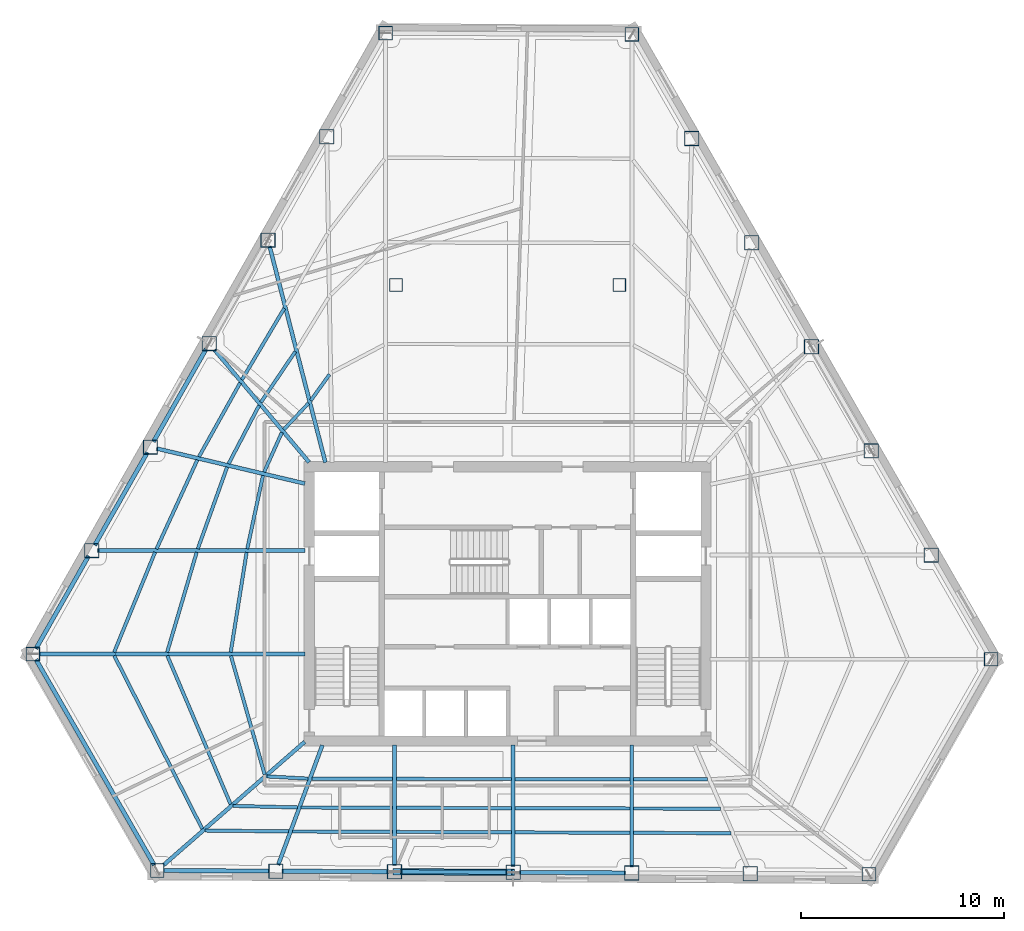
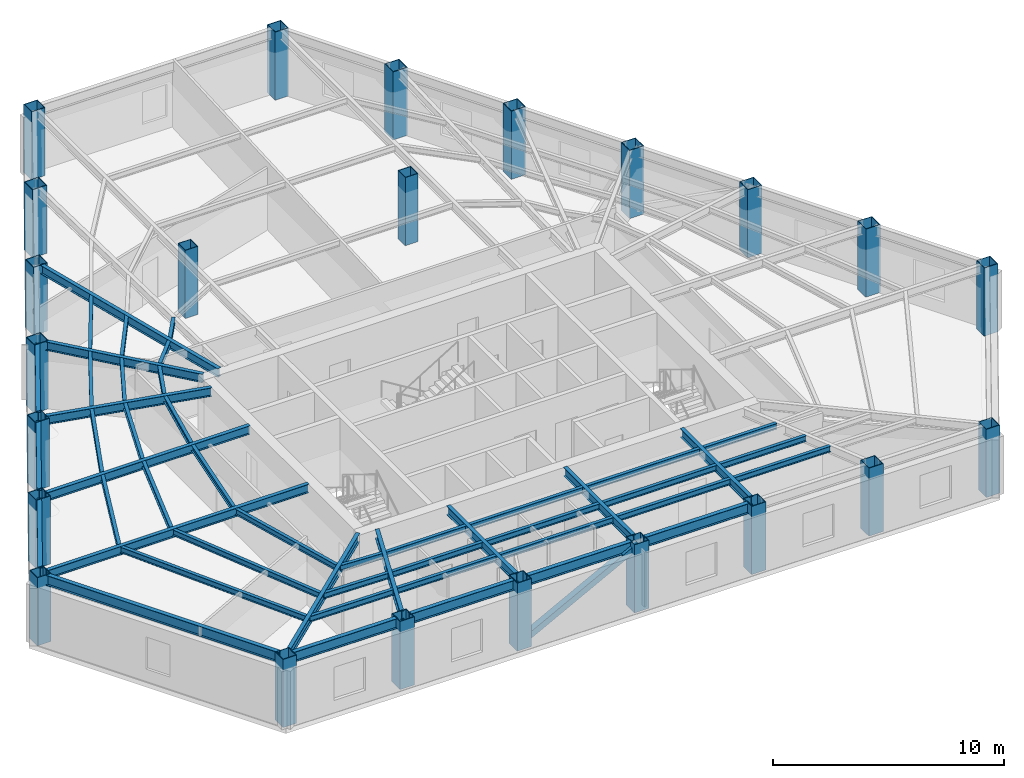
# One storey, part 1 of 12: 49 beams, 23 columns, 1 member.
"""IFC4 building model written with IfcOpenShell, lengths in metres."""

from ifc_helpers import new_model, si_unit, direction, frame, origin, origin_2d, place, context, subcontext, project, spatial, hollow_rectangle, i_section, extrude, material, material_profile, profile_set, type_object, element, save


model = new_model("IFC4")

# Units and contexts
model_context = context("Model", 3, precision=1e-05, world=origin(), true_north=direction((0.0, 1.0)))
body_context = subcontext(model_context, "Body", "Model", "MODEL_VIEW")
ifc_project = project(units=[si_unit("LENGTHUNIT", "METRE"), si_unit("AREAUNIT", "SQUARE_METRE"), si_unit("VOLUMEUNIT", "CUBIC_METRE"), si_unit("PLANEANGLEUNIT", "RADIAN"), si_unit("MASSUNIT", "GRAM", prefix="KILO")], contexts=[model_context])

# Site, building, storey
site_placement = place(None, origin())
site = spatial("IfcSite", under=ifc_project, at=site_placement, CompositionType="ELEMENT")
building_placement = place(site_placement, origin())
building = spatial("IfcBuilding", under=site, at=building_placement, Name="Kavelnor Concourse Tower", CompositionType="ELEMENT")
storey_placement = place(building_placement, frame((0.0, 0.0, 104.75)))
storey = spatial("IfcBuildingStorey", under=building, at=storey_placement, Name="L26", CompositionType="ELEMENT", Elevation=104.75)

# Columns
ifc_material = material(Name="Steel Grade 350", Category="steel")
ifc_material_profile_1 = material_profile(ifc_material, hollow_rectangle(XDim=0.679931640625, YDim=0.679931640625, WallThickness=0.030029296875, at=origin_2d()), Name="SHS 680x680x30")
ifc_profile_set_1 = profile_set([ifc_material_profile_1], Name="Steel Grade 350")
column_type_1 = type_object("IfcColumnType", Name="COL-FOLD-Z2", PredefinedType="COLUMN", material=ifc_profile_set_1)
for number, where, z_axis, x_axis, name in (
    (1, (31.99072265625, 44.204345703125, 0.0), (0.0, 0.0, 1.0), (1.0, 0.0, 0.0), "L26 Perimeter Corner-Fold Column F0-B0"),
    (2, (14.62353515625, 13.62646484375, 0.0), (0.0, 0.0, 1.0), (1.0, 0.0, 0.0), "L26 Perimeter Corner-Fold Column F0-B6"),
    (3, (20.751220703125, 2.966796875, 0.0), (0.0, 0.0, 1.0), (1.0, 0.0, 0.0), "L26 Perimeter Corner-Fold Column F1-B0"),
    (4, (55.797119140625, 2.784912109375, 0.0), (0.0, 0.0, 1.0), (1.0, 0.0, 0.0), "L26 Perimeter Corner-Fold Column F1-B6"),
    (5, (61.810791015625, 13.372802734375, 0.0), (0.0, 0.0, 1.0), (1.0, 0.0, 0.0), "L26 Perimeter Corner-Fold Column F2-B0"),
    (6, (44.123291015625, 44.1416015625, 0.0), (0.0, 0.0, 1.0), (1.0, 0.0, 0.0), "L26 Perimeter Corner-Fold Column F2-B6"),
):
    element("IfcColumn", number, at=place(storey_placement, frame(where, z_axis=z_axis, x_axis=x_axis)), inside=storey, type_object=column_type_1, Name=name, PredefinedType="COLUMN", context=body_context, shape_type="SweptSolid", body=[
        extrude(hollow_rectangle(XDim=0.679931640625, YDim=0.679931640625, WallThickness=0.030029296875, at=origin_2d()), origin(), (0.0, 0.0, 1.0), 3.60009765625),
    ])
ifc_material_profile_2 = material_profile(ifc_material, hollow_rectangle(XDim=0.719970703125, YDim=0.719970703125, WallThickness=0.031982421875, at=origin_2d()), Name="SHS 720x720x32")
ifc_profile_set_2 = profile_set([ifc_material_profile_2], Name="Steel Grade 350")
column_type_2 = type_object("IfcColumnType", Name="COL-TUBE-Z2", PredefinedType="COLUMN", material=ifc_profile_set_2)
for number, where, z_axis, x_axis, name in (
    (7, (29.09619140625, 39.108154296875, 0.0), (0.0, 0.0, 1.0), (1.0, 0.0, 0.0), "L26 Perimeter Framed-Tube Column F0-B1"),
    (8, (26.20166015625, 34.01171875, 0.0), (0.0, 0.0, 1.0), (1.0, 0.0, 0.0), "L26 Perimeter Framed-Tube Column F0-B2"),
    (9, (23.30712890625, 28.915283203125, 0.0), (0.0, 0.0, 1.0), (1.0, 0.0, 0.0), "L26 Perimeter Framed-Tube Column F0-B3"),
    (10, (20.41259765625, 23.819091796875, 0.0), (0.0, 0.0, 1.0), (1.0, 0.0, 0.0), "L26 Perimeter Framed-Tube Column F0-B4"),
    (11, (17.51806640625, 18.72265625, 0.0), (0.0, 0.0, 1.0), (1.0, 0.0, 0.0), "L26 Perimeter Framed-Tube Column F0-B5"),
    (12, (26.59228515625, 2.9365234375, 0.0), (0.0, 0.0, 1.0), (1.0, 0.0, 0.0), "L26 Perimeter Framed-Tube Column F1-B1"),
    (13, (32.43310546875, 2.90625, 0.0), (0.0, 0.0, 1.0), (1.0, 0.0, 0.0), "L26 Perimeter Framed-Tube Column F1-B2"),
    (14, (38.274169921875, 2.875732421875, 0.0), (0.0, 0.0, 1.0), (1.0, 0.0, 0.0), "L26 Perimeter Framed-Tube Column F1-B3"),
    (15, (44.115234375, 2.845458984375, 0.0), (0.0, 0.0, 1.0), (1.0, 0.0, 0.0), "L26 Perimeter Framed-Tube Column F1-B4"),
    (16, (49.956298828125, 2.815185546875, 0.0), (0.0, 0.0, 1.0), (1.0, 0.0, 0.0), "L26 Perimeter Framed-Tube Column F1-B5"),
    (17, (58.86279296875, 18.5009765625, 0.0), (0.0, 0.0, 1.0), (1.0, 0.0, 0.0), "L26 Perimeter Framed-Tube Column F2-B1"),
    (18, (55.9150390625, 23.62890625, 0.0), (0.0, 0.0, 1.0), (1.0, 0.0, 0.0), "L26 Perimeter Framed-Tube Column F2-B2"),
    (19, (52.967041015625, 28.757080078125, 0.0), (0.0, 0.0, 1.0), (1.0, 0.0, 0.0), "L26 Perimeter Framed-Tube Column F2-B3"),
    (20, (50.01904296875, 33.88525390625, 0.0), (0.0, 0.0, 1.0), (1.0, 0.0, 0.0), "L26 Perimeter Framed-Tube Column F2-B4"),
    (21, (47.0712890625, 39.013427734375, 0.0), (0.0, 0.0, 1.0), (1.0, 0.0, 0.0), "L26 Perimeter Framed-Tube Column F2-B5"),
):
    element("IfcColumn", number, at=place(storey_placement, frame(where, z_axis=z_axis, x_axis=x_axis)), inside=storey, type_object=column_type_2, Name=name, PredefinedType="COLUMN", context=body_context, shape_type="SweptSolid", body=[
        extrude(hollow_rectangle(XDim=0.719970703125, YDim=0.719970703125, WallThickness=0.031982421875, at=origin_2d()), origin(), (0.0, 0.0, 1.0), 3.60009765625),
    ])
ifc_material_profile_3 = material_profile(ifc_material, hollow_rectangle(XDim=0.639892578125, YDim=0.639892578125, WallThickness=0.028076171875, at=origin_2d()), Name="SHS 640x640x28")
ifc_profile_set_3 = profile_set([ifc_material_profile_3], Name="Steel Grade 350")
column_type_3 = type_object("IfcColumnType", Name="COL-TUBE-Z3", PredefinedType="COLUMN", material=ifc_profile_set_3)
for number, where, z_axis, x_axis, name in (
    (22, (32.5, 31.800048828125, 0.0), (0.0, 0.0, 1.0), (1.0, 0.0, 0.0), "L26 North Interior Gravity Column BC-NW"),
    (23, (43.5, 31.800048828125, 0.0), (0.0, 0.0, 1.0), (1.0, 0.0, 0.0), "L26 North Interior Gravity Column BC-NE"),
):
    element("IfcColumn", number, at=place(storey_placement, frame(where, z_axis=z_axis, x_axis=x_axis)), inside=storey, type_object=column_type_3, Name=name, PredefinedType="COLUMN", context=body_context, shape_type="SweptSolid", body=[
        extrude(hollow_rectangle(XDim=0.639892578125, YDim=0.639892578125, WallThickness=0.028076171875, at=origin_2d()), origin(), (0.0, 0.0, 1.0), 3.60009765625),
    ])

# Beams
ifc_material_profile_4 = material_profile(ifc_material, i_section(OverallWidth=0.166015625, OverallDepth=0.306884765625, WebThickness=0.006591796875, FlangeThickness=0.01171875, at=origin_2d()), Name="310UB46")
ifc_profile_set_4 = profile_set([ifc_material_profile_4], Name="Steel Grade 350")
beam_type_1 = type_object("IfcBeamType", Name="BM-JOIST-310", PredefinedType="JOIST", material=ifc_profile_set_4)
beam_1_placement = place(storey_placement, frame((24.377197265625, 13.540771484375, 3.446533203125), z_axis=(0.273421872774, -0.961894214292, 0.0), x_axis=(0.961894214292, 0.273421872774, 0.0)))
element("IfcBeam", 24, at=beam_1_placement, inside=storey, type_object=beam_type_1, Name="L26 Secondary Composite Joist 01-1", PredefinedType="JOIST", context=body_context, shape_type="SweptSolid", body=[
    extrude(i_section(OverallWidth=0.166015625, OverallDepth=0.306884765625, WebThickness=0.006591796875, FlangeThickness=0.01171875, at=origin_2d()), origin(), (0.0, 0.0, 1.0), 6.08154296875),
])
beam_2_placement = place(storey_placement, frame((21.24462890625, 13.54443359375, 3.446533203125), z_axis=(0.392106109439, -0.919919995946, 0.0), x_axis=(0.919919995946, 0.392106109439, 0.0)))
element("IfcBeam", 25, at=beam_2_placement, inside=storey, type_object=beam_type_1, Name="L26 Secondary Composite Joist 01-2", PredefinedType="JOIST", context=body_context, shape_type="SweptSolid", body=[
    extrude(i_section(OverallWidth=0.166015625, OverallDepth=0.306884765625, WebThickness=0.006591796875, FlangeThickness=0.01171875, at=origin_2d()), origin(), (0.0, 0.0, 1.0), 7.949951171875),
])
beam_3_placement = place(storey_placement, frame((18.630859375, 13.547119140625, 3.446533203125), z_axis=(0.453040874206, -0.891489745481, 0.0), x_axis=(0.891489745481, 0.453040874206, 0.0)))
element("IfcBeam", 26, at=beam_3_placement, inside=storey, type_object=beam_type_1, Name="L26 Secondary Composite Joist 01-3", PredefinedType="JOIST", context=body_context, shape_type="SweptSolid", body=[
    extrude(i_section(OverallWidth=0.166015625, OverallDepth=0.306884765625, WebThickness=0.006591796875, FlangeThickness=0.01171875, at=origin_2d()), origin(), (0.0, 0.0, 1.0), 9.5703125),
])
beam_4_placement = place(storey_placement, frame((26.1533203125, 7.6005859375, 3.446533203125), z_axis=(0.998534202843, -0.054124354527, 0.0), x_axis=(0.054124354527, 0.998534202843, 0.0)))
element("IfcBeam", 27, at=beam_4_placement, inside=storey, type_object=beam_type_1, Name="L26 Secondary Composite Joist 02-1", PredefinedType="JOIST", context=body_context, shape_type="SweptSolid", body=[
    extrude(i_section(OverallWidth=0.166015625, OverallDepth=0.306884765625, WebThickness=0.006591796875, FlangeThickness=0.01171875, at=origin_2d()), origin(), (0.0, 0.0, 1.0), 2.02978515625),
])
beam_5_placement = place(storey_placement, frame((24.485595703125, 6.147216796875, 3.446533203125), z_axis=(0.999722872434, -0.02354099261, 0.0), x_axis=(0.02354099261, 0.999722872434, 0.0)))
element("IfcBeam", 28, at=beam_5_placement, inside=storey, type_object=beam_type_1, Name="L26 Secondary Composite Joist 02-2", PredefinedType="JOIST", context=body_context, shape_type="SweptSolid", body=[
    extrude(i_section(OverallWidth=0.166015625, OverallDepth=0.306884765625, WebThickness=0.006591796875, FlangeThickness=0.01171875, at=origin_2d()), origin(), (0.0, 0.0, 1.0), 3.173583984375),
])
beam_6_placement = place(storey_placement, frame((23.095703125, 4.93505859375, 3.446533203125), z_axis=(0.999944583282, -0.010527600155, 0.0), x_axis=(0.010527600155, 0.999944583282, 0.0)))
element("IfcBeam", 29, at=beam_6_placement, inside=storey, type_object=beam_type_1, Name="L26 Secondary Composite Joist 02-3", PredefinedType="JOIST", context=body_context, shape_type="SweptSolid", body=[
    extrude(i_section(OverallWidth=0.166015625, OverallDepth=0.306884765625, WebThickness=0.006591796875, FlangeThickness=0.01171875, at=origin_2d()), origin(), (0.0, 0.0, 1.0), 4.1279296875),
])
beam_7_placement = place(storey_placement, frame((28.358154296875, 7.48583984375, 3.446533203125), z_axis=(0.999998422562, -0.001776196132, 0.0), x_axis=(0.001776196132, 0.999998422562, 0.0)))
element("IfcBeam", 30, at=beam_7_placement, inside=storey, type_object=beam_type_1, Name="L26 Secondary Composite Joist 03-1", PredefinedType="JOIST", context=body_context, shape_type="SweptSolid", body=[
    extrude(i_section(OverallWidth=0.166015625, OverallDepth=0.306884765625, WebThickness=0.006591796875, FlangeThickness=0.01171875, at=origin_2d()), origin(), (0.0, 0.0, 1.0), 3.986083984375),
])
beam_8_placement = place(storey_placement, frame((27.836181640625, 6.070068359375, 3.446533203125), z_axis=(0.999994179656, -0.003411840418, 0.0), x_axis=(0.003411840418, 0.999994179656, 0.0)))
element("IfcBeam", 31, at=beam_8_placement, inside=storey, type_object=beam_type_1, Name="L26 Secondary Composite Joist 03-2", PredefinedType="JOIST", context=body_context, shape_type="SweptSolid", body=[
    extrude(i_section(OverallWidth=0.166015625, OverallDepth=0.306884765625, WebThickness=0.006591796875, FlangeThickness=0.01171875, at=origin_2d()), origin(), (0.0, 0.0, 1.0), 4.508056640625),
])
beam_9_placement = place(storey_placement, frame((27.4013671875, 4.89013671875, 3.446533203125), z_axis=(0.9999901197, -0.004445278612, 0.0), x_axis=(0.004445278612, 0.9999901197, 0.0)))
element("IfcBeam", 32, at=beam_9_placement, inside=storey, type_object=beam_type_1, Name="L26 Secondary Composite Joist 03-3", PredefinedType="JOIST", context=body_context, shape_type="SweptSolid", body=[
    extrude(i_section(OverallWidth=0.166015625, OverallDepth=0.306884765625, WebThickness=0.006591796875, FlangeThickness=0.01171875, at=origin_2d()), origin(), (0.0, 0.0, 1.0), 4.94287109375),
])
for number, where, z_axis, x_axis, name in (
    (33, (32.522216796875, 7.478515625, 3.446533203125), (0.999998925761, -0.001465768386, 0.0), (0.001465768386, 0.999998925761, 0.0), "L26 Secondary Composite Joist 04-1"),
    (34, (32.522216796875, 6.05419921875, 3.446533203125), (0.999996311732, -0.002715975497, 0.0), (0.002715975497, 0.999996311732, 0.0), "L26 Secondary Composite Joist 04-2"),
    (35, (32.522216796875, 4.8671875, 3.446533203125), (0.99999312716, -0.003707510301, 0.0), (0.003707510301, 0.99999312716, 0.0), "L26 Secondary Composite Joist 04-3"),
):
    element("IfcBeam", number, at=place(storey_placement, frame(where, z_axis=z_axis, x_axis=x_axis)), inside=storey, type_object=beam_type_1, Name=name, PredefinedType="JOIST", context=body_context, shape_type="SweptSolid", body=[
        extrude(i_section(OverallWidth=0.166015625, OverallDepth=0.306884765625, WebThickness=0.006591796875, FlangeThickness=0.01171875, at=origin_2d()), origin(), (0.0, 0.0, 1.0), 5.6630859375),
    ])
for number, where, z_axis, x_axis, name in (
    (36, (38.36328125, 7.469970703125, 3.446533203125), (0.999998925668, -0.001465831579, 0.0), (0.001465831579, 0.999998925668, 0.0), "L26 Secondary Composite Joist 05-1"),
    (37, (38.36328125, 6.038330078125, 3.446533203125), (0.999996427582, -0.002672980319, 0.0), (0.002672980319, 0.999996427582, 0.0), "L26 Secondary Composite Joist 05-2"),
    (38, (38.36328125, 4.845458984375, 3.446533203125), (0.999992965793, -0.00375078198, 0.0), (0.00375078198, 0.999992965793, 0.0), "L26 Secondary Composite Joist 05-3"),
):
    element("IfcBeam", number, at=place(storey_placement, frame(where, z_axis=z_axis, x_axis=x_axis)), inside=storey, type_object=beam_type_1, Name=name, PredefinedType="JOIST", context=body_context, shape_type="SweptSolid", body=[
        extrude(i_section(OverallWidth=0.166015625, OverallDepth=0.306884765625, WebThickness=0.006591796875, FlangeThickness=0.01171875, at=origin_2d()), origin(), (0.0, 0.0, 1.0), 5.662841796875),
    ])
beam_10_placement = place(storey_placement, frame((44.2041015625, 7.461181640625, 3.446533203125), z_axis=(0.999996770491, -0.002541457817, 0.0), x_axis=(0.002541457817, 0.999996770491, 0.0)))
element("IfcBeam", 39, at=beam_10_placement, inside=storey, type_object=beam_type_1, Name="L26 Secondary Composite Joist 06-1", PredefinedType="JOIST", context=body_context, shape_type="SweptSolid", body=[
    extrude(i_section(OverallWidth=0.166015625, OverallDepth=0.306884765625, WebThickness=0.006591796875, FlangeThickness=0.01171875, at=origin_2d()), origin(), (0.0, 0.0, 1.0), 3.650390625),
])
beam_11_placement = place(storey_placement, frame((44.2041015625, 6.0224609375, 3.446533203125), z_axis=(0.999993938815, -0.003481714056, 0.0), x_axis=(0.003481714056, 0.999993938815, 0.0)))
element("IfcBeam", 40, at=beam_11_placement, inside=storey, type_object=beam_type_1, Name="L26 Secondary Composite Joist 06-2", PredefinedType="JOIST", context=body_context, shape_type="SweptSolid", body=[
    extrude(i_section(OverallWidth=0.166015625, OverallDepth=0.306884765625, WebThickness=0.006591796875, FlangeThickness=0.01171875, at=origin_2d()), origin(), (0.0, 0.0, 1.0), 4.27734375),
])
beam_12_placement = place(storey_placement, frame((44.2041015625, 4.823486328125, 3.446533203125), z_axis=(0.999991721006, -0.004069142303, 0.0), x_axis=(0.004069142303, 0.999991721006, 0.0)))
element("IfcBeam", 41, at=beam_12_placement, inside=storey, type_object=beam_type_1, Name="L26 Secondary Composite Joist 06-3", PredefinedType="JOIST", context=body_context, shape_type="SweptSolid", body=[
    extrude(i_section(OverallWidth=0.166015625, OverallDepth=0.306884765625, WebThickness=0.006591796875, FlangeThickness=0.01171875, at=origin_2d()), origin(), (0.0, 0.0, 1.0), 4.7998046875),
])
beam_13_placement = place(storey_placement, frame((29.23388671875, 27.397216796875, 3.446533203125), z_axis=(-0.58433322423, -0.811513821855, 0.0), x_axis=(0.811513821855, -0.58433322423, 0.0)))
element("IfcBeam", 42, at=beam_13_placement, inside=storey, type_object=beam_type_1, Name="L26 Secondary Composite Joist 17-1", PredefinedType="JOIST", context=body_context, shape_type="SweptSolid", body=[
    extrude(i_section(OverallWidth=0.166015625, OverallDepth=0.306884765625, WebThickness=0.006591796875, FlangeThickness=0.01171875, at=origin_2d()), origin(), (0.0, 0.0, 1.0), 1.579833984375),
])
beam_14_placement = place(storey_placement, frame((28.197998046875, 25.978271484375, 3.446533203125), z_axis=(-0.6843941142, -0.729112266012, 0.0), x_axis=(0.729112266012, -0.6843941142, 0.0)))
element("IfcBeam", 43, at=beam_14_placement, inside=storey, type_object=beam_type_1, Name="L26 Secondary Composite Joist 18-1", PredefinedType="JOIST", context=body_context, shape_type="SweptSolid", body=[
    extrude(i_section(OverallWidth=0.166015625, OverallDepth=0.306884765625, WebThickness=0.006591796875, FlangeThickness=0.01171875, at=origin_2d()), origin(), (0.0, 0.0, 1.0), 1.7744140625),
])
beam_15_placement = place(storey_placement, frame((27.54931640625, 28.525146484375, 3.446533203125), z_axis=(-0.560742779062, -0.827990057748, 0.0), x_axis=(0.827990057748, -0.560742779062, 0.0)))
element("IfcBeam", 44, at=beam_15_placement, inside=storey, type_object=beam_type_1, Name="L26 Secondary Composite Joist 18-2", PredefinedType="JOIST", context=body_context, shape_type="SweptSolid", body=[
    extrude(i_section(OverallWidth=0.166015625, OverallDepth=0.306884765625, WebThickness=0.006591796875, FlangeThickness=0.01171875, at=origin_2d()), origin(), (0.0, 0.0, 1.0), 3.02294921875),
])
beam_16_placement = place(storey_placement, frame((27.00390625, 30.652099609375, 3.446533203125), z_axis=(-0.509872719421, -0.860249853235, 0.0), x_axis=(0.860249853235, -0.509872719421, 0.0)))
element("IfcBeam", 45, at=beam_16_placement, inside=storey, type_object=beam_type_1, Name="L26 Secondary Composite Joist 18-3", PredefinedType="JOIST", context=body_context, shape_type="SweptSolid", body=[
    extrude(i_section(OverallWidth=0.166015625, OverallDepth=0.306884765625, WebThickness=0.006591796875, FlangeThickness=0.01171875, at=origin_2d()), origin(), (0.0, 0.0, 1.0), 4.091552734375),
])
beam_17_placement = place(storey_placement, frame((26.88623046875, 24.53857421875, 3.446533203125), z_axis=(-0.409448949059, -0.912333030266, 0.0), x_axis=(0.912333030266, -0.409448949059, 0.0)))
element("IfcBeam", 46, at=beam_17_placement, inside=storey, type_object=beam_type_1, Name="L26 Secondary Composite Joist 19-1", PredefinedType="JOIST", context=body_context, shape_type="SweptSolid", body=[
    extrude(i_section(OverallWidth=0.166015625, OverallDepth=0.306884765625, WebThickness=0.006591796875, FlangeThickness=0.01171875, at=origin_2d()), origin(), (0.0, 0.0, 1.0), 2.139892578125),
])
beam_18_placement = place(storey_placement, frame((25.76318359375, 25.86962890625, 3.446533203125), z_axis=(-0.463443828388, -0.886126299085, 0.0), x_axis=(0.886126299085, -0.463443828388, 0.0)))
element("IfcBeam", 47, at=beam_18_placement, inside=storey, type_object=beam_type_1, Name="L26 Secondary Composite Joist 19-2", PredefinedType="JOIST", context=body_context, shape_type="SweptSolid", body=[
    extrude(i_section(OverallWidth=0.166015625, OverallDepth=0.306884765625, WebThickness=0.006591796875, FlangeThickness=0.01171875, at=origin_2d()), origin(), (0.0, 0.0, 1.0), 3.240234375),
])
beam_19_placement = place(storey_placement, frame((24.8291015625, 26.97802734375, 3.446533203125), z_axis=(-0.48688246548, -0.873467494992, 0.0), x_axis=(0.873467494992, -0.48688246548, 0.0)))
element("IfcBeam", 48, at=beam_19_placement, inside=storey, type_object=beam_type_1, Name="L26 Secondary Composite Joist 19-3", PredefinedType="JOIST", context=body_context, shape_type="SweptSolid", body=[
    extrude(i_section(OverallWidth=0.166015625, OverallDepth=0.306884765625, WebThickness=0.006591796875, FlangeThickness=0.01171875, at=origin_2d()), origin(), (0.0, 0.0, 1.0), 4.162353515625),
])
beam_20_placement = place(storey_placement, frame((25.954833984375, 22.41796875, 3.446533203125), z_axis=(-0.209407088288, -0.977828549069, 0.0), x_axis=(0.977828549069, -0.209407088288, 0.0)))
element("IfcBeam", 49, at=beam_20_placement, inside=storey, type_object=beam_type_1, Name="L26 Secondary Composite Joist 20-1", PredefinedType="JOIST", context=body_context, shape_type="SweptSolid", body=[
    extrude(i_section(OverallWidth=0.166015625, OverallDepth=0.306884765625, WebThickness=0.006591796875, FlangeThickness=0.01171875, at=origin_2d()), origin(), (0.0, 0.0, 1.0), 3.68994140625),
])
beam_21_placement = place(storey_placement, frame((24.190185546875, 22.835693359375, 3.446533203125), z_axis=(-0.337586210639, -0.941294614022, 0.0), x_axis=(0.941294614022, -0.337586210639, 0.0)))
element("IfcBeam", 50, at=beam_21_placement, inside=storey, type_object=beam_type_1, Name="L26 Secondary Composite Joist 20-2", PredefinedType="JOIST", context=body_context, shape_type="SweptSolid", body=[
    extrude(i_section(OverallWidth=0.166015625, OverallDepth=0.306884765625, WebThickness=0.006591796875, FlangeThickness=0.01171875, at=origin_2d()), origin(), (0.0, 0.0, 1.0), 4.280517578125),
])
beam_22_placement = place(storey_placement, frame((22.721923828125, 23.18359375, 3.446533203125), z_axis=(-0.417136105689, -0.908844029155, 0.0), x_axis=(0.908844029155, -0.417136105689, 0.0)))
element("IfcBeam", 51, at=beam_22_placement, inside=storey, type_object=beam_type_1, Name="L26 Secondary Composite Joist 20-3", PredefinedType="JOIST", context=body_context, shape_type="SweptSolid", body=[
    extrude(i_section(OverallWidth=0.166015625, OverallDepth=0.306884765625, WebThickness=0.006591796875, FlangeThickness=0.01171875, at=origin_2d()), origin(), (0.0, 0.0, 1.0), 4.819091796875),
])
beam_23_placement = place(storey_placement, frame((25.1494140625, 18.634765625, 3.446533203125), z_axis=(-0.157052049114, -0.987590326942, 0.0), x_axis=(0.987590326942, -0.157052049114, 0.0)))
element("IfcBeam", 52, at=beam_23_placement, inside=storey, type_object=beam_type_1, Name="L26 Secondary Composite Joist 21-1", PredefinedType="JOIST", context=body_context, shape_type="SweptSolid", body=[
    extrude(i_section(OverallWidth=0.166015625, OverallDepth=0.306884765625, WebThickness=0.006591796875, FlangeThickness=0.01171875, at=origin_2d()), origin(), (0.0, 0.0, 1.0), 4.982177734375),
])
beam_24_placement = place(storey_placement, frame((22.689697265625, 18.63720703125, 3.446533203125), z_axis=(-0.283236833557, -0.959049996672, 0.0), x_axis=(0.959049996672, -0.283236833557, 0.0)))
element("IfcBeam", 53, at=beam_24_placement, inside=storey, type_object=beam_type_1, Name="L26 Secondary Composite Joist 21-2", PredefinedType="JOIST", context=body_context, shape_type="SweptSolid", body=[
    extrude(i_section(OverallWidth=0.166015625, OverallDepth=0.306884765625, WebThickness=0.006591796875, FlangeThickness=0.01171875, at=origin_2d()), origin(), (0.0, 0.0, 1.0), 5.135498046875),
])
beam_25_placement = place(storey_placement, frame((20.640869140625, 18.640380859375, 3.446533203125), z_axis=(-0.378490103516, -0.925605337896, 0.0), x_axis=(0.925605337896, -0.378490103516, 0.0)))
element("IfcBeam", 54, at=beam_25_placement, inside=storey, type_object=beam_type_1, Name="L26 Secondary Composite Joist 21-3", PredefinedType="JOIST", context=body_context, shape_type="SweptSolid", body=[
    extrude(i_section(OverallWidth=0.166015625, OverallDepth=0.306884765625, WebThickness=0.006591796875, FlangeThickness=0.01171875, at=origin_2d()), origin(), (0.0, 0.0, 1.0), 5.328125),
])
ifc_material_profile_5 = material_profile(ifc_material, i_section(OverallWidth=0.18994140625, OverallDepth=0.4541015625, WebThickness=0.008544921875, FlangeThickness=0.0126953125, at=origin_2d()), Name="460UB67")
ifc_profile_set_5 = profile_set([ifc_material_profile_5], Name="Steel Grade 350")
beam_type_2 = type_object("IfcBeamType", Name="BM-PRIMARY-460", PredefinedType="BEAM", material=ifc_profile_set_5)
beam_26_placement = place(storey_placement, frame((29.028564453125, 23.061279296875, 3.373046875), z_axis=(-0.249950524872, 0.968258609627, 0.0), x_axis=(-0.968258609627, -0.249950524872, 0.0)))
element("IfcBeam", 55, at=beam_26_placement, inside=storey, type_object=beam_type_2, Name="L26 Primary Floor Girder F0-B2", PredefinedType="BEAM", context=body_context, shape_type="SweptSolid", body=[
    extrude(i_section(OverallWidth=0.18994140625, OverallDepth=0.4541015625, WebThickness=0.008544921875, FlangeThickness=0.0126953125, at=origin_2d()), origin(), (0.0, 0.0, 1.0), 10.998291015625),
])
beam_27_placement = place(storey_placement, frame((28.2275390625, 23.0693359375, 3.373046875), z_axis=(-0.643933138721, 0.765081768739, 0.0), x_axis=(-0.765081768739, -0.643933138721, 0.0)))
element("IfcBeam", 56, at=beam_27_placement, inside=storey, type_object=beam_type_2, Name="L26 Primary Floor Girder F0-B3", PredefinedType="BEAM", context=body_context, shape_type="SweptSolid", body=[
    extrude(i_section(OverallWidth=0.18994140625, OverallDepth=0.4541015625, WebThickness=0.008544921875, FlangeThickness=0.0126953125, at=origin_2d()), origin(), (0.0, 0.0, 1.0), 7.236572265625),
])
beam_28_placement = place(storey_placement, frame((28.018798828125, 22.021484375, 3.373046875), z_axis=(-0.973188054486, 0.230010892364, 0.0), x_axis=(-0.230010892364, -0.973188054486, 0.0)))
element("IfcBeam", 57, at=beam_28_placement, inside=storey, type_object=beam_type_2, Name="L26 Primary Floor Girder F0-B4", PredefinedType="BEAM", context=body_context, shape_type="SweptSolid", body=[
    extrude(i_section(OverallWidth=0.18994140625, OverallDepth=0.4541015625, WebThickness=0.008544921875, FlangeThickness=0.0126953125, at=origin_2d()), origin(), (0.0, 0.0, 1.0), 7.50634765625),
])
beam_29_placement = place(storey_placement, frame((28.02001953125, 18.72265625, 3.373046875), z_axis=(-1.0, 0.0, 0.0), x_axis=(0.0, -1.0, 0.0)))
element("IfcBeam", 58, at=beam_29_placement, inside=storey, type_object=beam_type_2, Name="L26 Primary Floor Girder F0-B5", PredefinedType="BEAM", context=body_context, shape_type="SweptSolid", body=[
    extrude(i_section(OverallWidth=0.18994140625, OverallDepth=0.4541015625, WebThickness=0.008544921875, FlangeThickness=0.0126953125, at=origin_2d()), origin(), (0.0, 0.0, 1.0), 10.201904296875),
])
beam_30_placement = place(storey_placement, frame((28.02001953125, 13.62646484375, 3.373046875), z_axis=(-1.0, 0.0, 0.0), x_axis=(0.0, -1.0, 0.0)))
element("IfcBeam", 59, at=beam_30_placement, inside=storey, type_object=beam_type_2, Name="L26 Primary Floor Girder F0-B6", PredefinedType="BEAM", context=body_context, shape_type="SweptSolid", body=[
    extrude(i_section(OverallWidth=0.18994140625, OverallDepth=0.4541015625, WebThickness=0.008544921875, FlangeThickness=0.0126953125, at=origin_2d()), origin(), (0.0, 0.0, 1.0), 13.096435546875),
])
beam_31_placement = place(storey_placement, frame((28.010009765625, 9.30419921875, 3.373046875), z_axis=(-0.753299252327, -0.657677912389, 0.0), x_axis=(0.657677912389, -0.753299252327, 0.0)))
element("IfcBeam", 60, at=beam_31_placement, inside=storey, type_object=beam_type_2, Name="L26 Primary Floor Girder F1-B0", PredefinedType="BEAM", context=body_context, shape_type="SweptSolid", body=[
    extrude(i_section(OverallWidth=0.18994140625, OverallDepth=0.4541015625, WebThickness=0.008544921875, FlangeThickness=0.0126953125, at=origin_2d()), origin(), (0.0, 0.0, 1.0), 9.224609375),
])
beam_32_placement = place(storey_placement, frame((28.877685546875, 9.137451171875, 3.373046875), z_axis=(-0.345840336278, -0.938293377256, 0.0), x_axis=(0.938293377256, -0.345840336278, 0.0)))
element("IfcBeam", 61, at=beam_32_placement, inside=storey, type_object=beam_type_2, Name="L26 Primary Floor Girder F1-B1", PredefinedType="BEAM", context=body_context, shape_type="SweptSolid", body=[
    extrude(i_section(OverallWidth=0.18994140625, OverallDepth=0.4541015625, WebThickness=0.008544921875, FlangeThickness=0.0126953125, at=origin_2d()), origin(), (0.0, 0.0, 1.0), 6.286376953125),
])
beam_33_placement = place(storey_placement, frame((32.43310546875, 9.139892578125, 3.373046875), z_axis=(0.0, -1.0, 0.0), x_axis=(1.0, 0.0, 0.0)))
element("IfcBeam", 62, at=beam_33_placement, inside=storey, type_object=beam_type_2, Name="L26 Primary Floor Girder F1-B2", PredefinedType="BEAM", context=body_context, shape_type="SweptSolid", body=[
    extrude(i_section(OverallWidth=0.18994140625, OverallDepth=0.4541015625, WebThickness=0.008544921875, FlangeThickness=0.0126953125, at=origin_2d()), origin(), (0.0, 0.0, 1.0), 5.93359375),
])
beam_34_placement = place(storey_placement, frame((38.274169921875, 9.139892578125, 3.373046875), z_axis=(0.0, -1.0, 0.0), x_axis=(1.0, 0.0, 0.0)))
element("IfcBeam", 63, at=beam_34_placement, inside=storey, type_object=beam_type_2, Name="L26 Primary Floor Girder F1-B3", PredefinedType="BEAM", context=body_context, shape_type="SweptSolid", body=[
    extrude(i_section(OverallWidth=0.18994140625, OverallDepth=0.4541015625, WebThickness=0.008544921875, FlangeThickness=0.0126953125, at=origin_2d()), origin(), (0.0, 0.0, 1.0), 5.964111328125),
])
beam_35_placement = place(storey_placement, frame((44.115234375, 9.139892578125, 3.373046875), z_axis=(0.0, -1.0, 0.0), x_axis=(1.0, 0.0, 0.0)))
element("IfcBeam", 64, at=beam_35_placement, inside=storey, type_object=beam_type_2, Name="L26 Primary Floor Girder F1-B4", PredefinedType="BEAM", context=body_context, shape_type="SweptSolid", body=[
    extrude(i_section(OverallWidth=0.18994140625, OverallDepth=0.4541015625, WebThickness=0.008544921875, FlangeThickness=0.0126953125, at=origin_2d()), origin(), (0.0, 0.0, 1.0), 5.994384765625),
])
ifc_material_profile_6 = material_profile(ifc_material, i_section(OverallWidth=0.208984375, OverallDepth=0.532958984375, WebThickness=0.01025390625, FlangeThickness=0.015625, at=origin_2d()), Name="530UB92")
ifc_profile_set_6 = profile_set([ifc_material_profile_6], Name="Steel Grade 350")
beam_type_3 = type_object("IfcBeamType", Name="BM-SPANDREL-Z2", PredefinedType="SPANDREL", material=ifc_profile_set_6)
beam_36_placement = place(storey_placement, frame((23.156494140625, 28.650146484375, 3.33349609375), z_axis=(-0.493864017051, -0.869539149585, 0.0), x_axis=(0.869539149585, -0.493864017051, 0.0)))
element("IfcBeam", 65, at=beam_36_placement, inside=storey, type_object=beam_type_3, Name="L26 Perimeter Tube Spandrel Beam F0-B3", PredefinedType="SPANDREL", context=body_context, shape_type="SweptSolid", body=[
    extrude(i_section(OverallWidth=0.208984375, OverallDepth=0.532958984375, WebThickness=0.01025390625, FlangeThickness=0.015625, at=origin_2d()), origin(), (0.0, 0.0, 1.0), 5.2509765625),
])
beam_37_placement = place(storey_placement, frame((20.261962890625, 23.553955078125, 3.33349609375), z_axis=(-0.493844051428, -0.869550488971, 0.0), x_axis=(0.869550488971, -0.493844051428, 0.0)))
element("IfcBeam", 66, at=beam_37_placement, inside=storey, type_object=beam_type_3, Name="L26 Perimeter Tube Spandrel Beam F0-B4", PredefinedType="SPANDREL", context=body_context, shape_type="SweptSolid", body=[
    extrude(i_section(OverallWidth=0.208984375, OverallDepth=0.532958984375, WebThickness=0.01025390625, FlangeThickness=0.015625, at=origin_2d()), origin(), (0.0, 0.0, 1.0), 5.251220703125),
])
beam_38_placement = place(storey_placement, frame((17.367431640625, 18.45751953125, 3.33349609375), z_axis=(-0.493864017051, -0.869539149585, 0.0), x_axis=(0.869539149585, -0.493864017051, 0.0)))
element("IfcBeam", 67, at=beam_38_placement, inside=storey, type_object=beam_type_3, Name="L26 Perimeter Tube Spandrel Beam F0-B5", PredefinedType="SPANDREL", context=body_context, shape_type="SweptSolid", body=[
    extrude(i_section(OverallWidth=0.208984375, OverallDepth=0.532958984375, WebThickness=0.01025390625, FlangeThickness=0.015625, at=origin_2d()), origin(), (0.0, 0.0, 1.0), 5.2509765625),
])
for number, where, z_axis, x_axis, name in (
    (68, (21.05615234375, 2.965087890625, 3.33349609375), (0.99998658085, -0.005180552155, 0.0), (0.005180552155, 0.99998658085, 0.0), "L26 Perimeter Tube Spandrel Beam F1-B0"),
    (69, (26.897216796875, 2.934814453125, 3.33349609375), (0.99998658085, -0.005180552155, 0.0), (0.005180552155, 0.99998658085, 0.0), "L26 Perimeter Tube Spandrel Beam F1-B1"),
    (70, (32.73828125, 2.904541015625, 3.33349609375), (0.99998658085, -0.005180552155, 0.0), (0.005180552155, 0.99998658085, 0.0), "L26 Perimeter Tube Spandrel Beam F1-B2"),
):
    element("IfcBeam", number, at=place(storey_placement, frame(where, z_axis=z_axis, x_axis=x_axis)), inside=storey, type_object=beam_type_3, Name=name, PredefinedType="SPANDREL", context=body_context, shape_type="SweptSolid", body=[
        extrude(i_section(OverallWidth=0.208984375, OverallDepth=0.532958984375, WebThickness=0.01025390625, FlangeThickness=0.015625, at=origin_2d()), origin(), (0.0, 0.0, 1.0), 5.23095703125),
    ])
beam_39_placement = place(storey_placement, frame((38.5791015625, 2.874267578125, 3.33349609375), z_axis=(0.999986582102, -0.005180310385, 0.0), x_axis=(0.005180310385, 0.999986582102, 0.0)))
element("IfcBeam", 71, at=beam_39_placement, inside=storey, type_object=beam_type_3, Name="L26 Perimeter Tube Spandrel Beam F1-B3", PredefinedType="SPANDREL", context=body_context, shape_type="SweptSolid", body=[
    extrude(i_section(OverallWidth=0.208984375, OverallDepth=0.532958984375, WebThickness=0.01025390625, FlangeThickness=0.015625, at=origin_2d()), origin(), (0.0, 0.0, 1.0), 5.231201171875),
])
beam_40_placement = place(storey_placement, frame((14.775390625, 13.362060546875, 3.33349609375), z_axis=(0.498373772456, -0.866962273071, 0.0), x_axis=(0.866962273071, 0.498373772456, 0.0)))
element("IfcBeam", 72, at=beam_40_placement, inside=storey, type_object=beam_type_3, Name="L26 Chamfer Facet Spandrel Beam C1", PredefinedType="SPANDREL", context=body_context, shape_type="SweptSolid", body=[
    extrude(i_section(OverallWidth=0.208984375, OverallDepth=0.532958984375, WebThickness=0.01025390625, FlangeThickness=0.015625, at=origin_2d()), origin(), (0.0, 0.0, 1.0), 11.685546875),
])

# Member
ifc_material_profile_7 = material_profile(ifc_material, hollow_rectangle(XDim=0.320068359375, YDim=0.320068359375, WallThickness=0.01806640625, at=origin_2d()), Name="SHS 320x320x18")
ifc_profile_set_7 = profile_set([ifc_material_profile_7], Name="Steel Grade 350")
member_type = type_object("IfcMemberType", Name="MBR-TUBE-DIAG-Z2", PredefinedType="BRACE", material=ifc_profile_set_7)
member_placement = place(storey_placement, frame((32.43310546875, 2.90625, 0.219970703125), z_axis=(0.882450746464, -0.004610505467, 0.470382209808), x_axis=(0.00522458909, 0.999986351741, 0.0)))
element("IfcMember", 73, at=member_placement, inside=storey, type_object=member_type, Name="L26 Framed-Tube Bracing Diagonal F1-B2", PredefinedType="BRACE", context=body_context, shape_type="SweptSolid", body=[
    extrude(hollow_rectangle(XDim=0.320068359375, YDim=0.320068359375, WallThickness=0.01806640625, at=origin_2d()), origin(), (0.0, 0.0, 1.0), 6.619140625),
])

save(model, "model.ifc")
